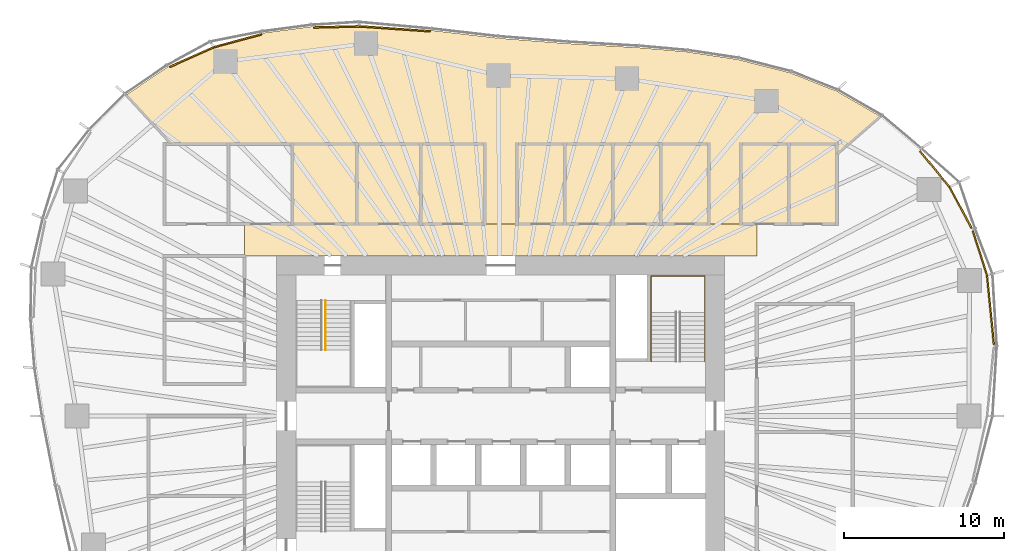
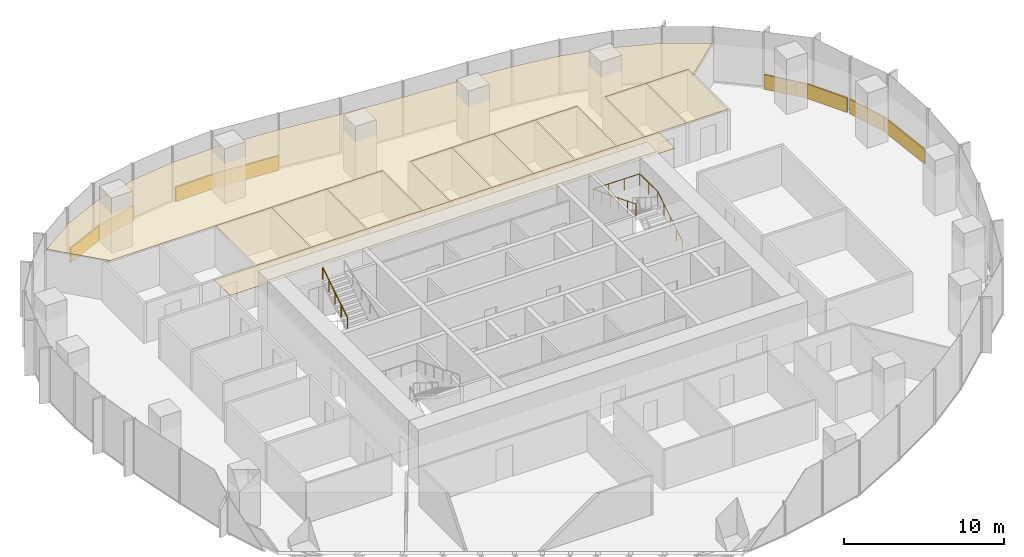
# One storey, part 18 of 18: 20 coverings, 2 railings.
"""IFC4 building model written with IfcOpenShell, lengths in metres."""

from ifc_helpers import new_model, si_unit, direction, frame, origin, origin_2d, place, context, subcontext, project, spatial, polyline, rectangle, circle, outline, extrude, material, layer, layer_set, type_object, element, save


model = new_model("IFC4")

# Units and contexts
model_context = context("Model", 3, precision=1e-05, world=origin(), true_north=direction((0.0, 1.0)))
body_context = subcontext(model_context, "Body", "Model", "MODEL_VIEW")
ifc_project = project(units=[si_unit("LENGTHUNIT", "METRE"), si_unit("AREAUNIT", "SQUARE_METRE"), si_unit("VOLUMEUNIT", "CUBIC_METRE"), si_unit("PLANEANGLEUNIT", "RADIAN"), si_unit("MASSUNIT", "GRAM", prefix="KILO")], contexts=[model_context])

# Site, building, storey
site_placement = place(None, origin())
site = spatial("IfcSite", under=ifc_project, at=site_placement, CompositionType="ELEMENT")
building_placement = place(site_placement, origin())
building = spatial("IfcBuilding", under=site, at=building_placement, Name="Ghaith Harvest Tower", CompositionType="ELEMENT")
storey_placement = place(building_placement, frame((0.0, 0.0, 138.60009765625)))
storey = spatial("IfcBuildingStorey", under=building, at=storey_placement, Name="L29", CompositionType="ELEMENT", Elevation=138.60009765625)

# Coverings
ifc_material_1 = material(Name="Mineral fibre ceiling tile", Category="gypsum")
ifc_layer_1 = layer(ifc_material_1, 0.02001953125)
ifc_layer_set_1 = layer_set([ifc_layer_1], Name="CEILING C1")
covering_type_1 = type_object("IfcCoveringType", Name="CEILING C1", PredefinedType="CEILING", material=ifc_layer_set_1)
covering_1_placement = place(storey_placement, frame((0.0, 0.0, 3.0)))
element("IfcCovering", 1, at=covering_1_placement, inside=storey, type_object=covering_type_1, Name="Ceiling L29-06", PredefinedType="CEILING", context=body_context, shape_type="SweptSolid", body=[
    extrude(outline(polyline([(-13.0, 12.0), (-9.0, 12.0), (-9.0, 17.0), (-13.0, 17.0), (-13.0, 12.0)])), origin(), (0.0, 0.0, 1.0), 0.02001953125),
])
covering_2_placement = place(storey_placement, frame((0.0, 0.0, 3.0)))
element("IfcCovering", 2, at=covering_2_placement, inside=storey, type_object=covering_type_1, Name="Ceiling L29-07", PredefinedType="CEILING", context=body_context, shape_type="SweptSolid", body=[
    extrude(outline(polyline([(-9.0, 12.0), (-5.0, 12.0), (-5.0, 17.0), (-9.0, 17.0), (-9.0, 12.0)])), origin(), (0.0, 0.0, 1.0), 0.02001953125),
])
covering_3_placement = place(storey_placement, frame((0.0, 0.0, 3.0)))
element("IfcCovering", 3, at=covering_3_placement, inside=storey, type_object=covering_type_1, Name="Ceiling L29-08", PredefinedType="CEILING", context=body_context, shape_type="SweptSolid", body=[
    extrude(outline(polyline([(-5.0, 12.0), (-1.0, 12.0), (-1.0, 17.0), (-5.0, 17.0), (-5.0, 12.0)])), origin(), (0.0, 0.0, 1.0), 0.02001953125),
])
covering_4_placement = place(storey_placement, frame((0.0, 0.0, 3.0)))
element("IfcCovering", 4, at=covering_4_placement, inside=storey, type_object=covering_type_1, Name="Ceiling L29-09", PredefinedType="CEILING", context=body_context, shape_type="SweptSolid", body=[
    extrude(outline(polyline([(1.0, 12.0), (4.0, 12.0), (4.0, 17.0), (1.0, 17.0), (1.0, 12.0)])), origin(), (0.0, 0.0, 1.0), 0.02001953125),
])
covering_5_placement = place(storey_placement, frame((0.0, 0.0, 3.0)))
element("IfcCovering", 5, at=covering_5_placement, inside=storey, type_object=covering_type_1, Name="Ceiling L29-10", PredefinedType="CEILING", context=body_context, shape_type="SweptSolid", body=[
    extrude(outline(polyline([(4.0, 12.0), (7.0, 12.0), (7.0, 17.0), (4.0, 17.0), (4.0, 12.0)])), origin(), (0.0, 0.0, 1.0), 0.02001953125),
])
covering_6_placement = place(storey_placement, frame((0.0, 0.0, 3.0)))
element("IfcCovering", 6, at=covering_6_placement, inside=storey, type_object=covering_type_1, Name="Ceiling L29-11", PredefinedType="CEILING", context=body_context, shape_type="SweptSolid", body=[
    extrude(outline(polyline([(7.0, 12.0), (10.0, 12.0), (10.0, 17.0), (7.0, 17.0), (7.0, 12.0)])), origin(), (0.0, 0.0, 1.0), 0.02001953125),
])
covering_7_placement = place(storey_placement, frame((0.0, 0.0, 3.0)))
element("IfcCovering", 7, at=covering_7_placement, inside=storey, type_object=covering_type_1, Name="Ceiling L29-12", PredefinedType="CEILING", context=body_context, shape_type="SweptSolid", body=[
    extrude(outline(polyline([(10.0, 12.0), (13.0, 12.0), (13.0, 17.0), (10.0, 17.0), (10.0, 12.0)])), origin(), (0.0, 0.0, 1.0), 0.02001953125),
])
covering_8_placement = place(storey_placement, frame((0.0, 0.0, 3.0)))
element("IfcCovering", 8, at=covering_8_placement, inside=storey, type_object=covering_type_1, Name="Ceiling L29-17", PredefinedType="CEILING", context=body_context, shape_type="SweptSolid", body=[
    extrude(outline(polyline([(15.0, 12.0), (18.0, 12.0), (18.0, 17.0), (15.0, 17.0), (15.0, 12.0)])), origin(), (0.0, 0.0, 1.0), 0.02001953125),
])
covering_9_placement = place(storey_placement, frame((0.0, 0.0, 3.0)))
element("IfcCovering", 9, at=covering_9_placement, inside=storey, type_object=covering_type_1, Name="Ceiling L29-18", PredefinedType="CEILING", context=body_context, shape_type="SweptSolid", body=[
    extrude(outline(polyline([(18.0, 12.0), (21.0, 12.0), (21.0, 17.0), (18.0, 17.0), (18.0, 12.0)])), origin(), (0.0, 0.0, 1.0), 0.02001953125),
])
covering_10_placement = place(storey_placement, frame((0.0, 0.0, 3.0)))
element("IfcCovering", 10, at=covering_10_placement, inside=storey, type_object=covering_type_1, Name="Ceiling L29-C1", PredefinedType="CEILING", context=body_context, shape_type="SweptSolid", body=[
    extrude(outline(polyline([(16.0, 10.0), (-16.0, 10.0), (-16.0, 12.0), (16.0, 12.0), (16.0, 10.0)])), origin(), (0.0, 0.0, 1.0), 0.02001953125),
])
covering_11_placement = place(storey_placement, frame((0.0, 0.0, 3.0)))
element("IfcCovering", 11, at=covering_11_placement, inside=storey, type_object=covering_type_1, Name="Ceiling L29-N1", PredefinedType="CEILING", context=body_context, shape_type="SweptSolid", body=[
    extrude(outline(polyline([(-20.79248046875, 21.82470703125), (-17.938232421875, 23.097412109375), (-14.860595703125, 23.927978515625), (-11.788818359375, 24.331787109375), (-8.814208984375, 24.404541015625), (-4.302001953125, 24.089111328125), (-0.16162109375, 23.609619140625), (4.125732421875, 23.272705078125), (8.604736328125, 23.017333984375), (11.617919921875, 22.757080078125), (14.79833984375, 22.27978515625), (18.0849609375, 21.4462890625), (20.97998046875, 20.3056640625), (23.7275390625, 18.718017578125), (21.0, 16.3466796875), (21.0, 17.0), (15.0, 17.0), (15.0, 12.0), (13.0, 12.0), (13.0, 17.0), (1.0, 17.0), (1.0, 12.0), (-1.0, 12.0), (-1.0, 17.0), (-20.5888671875, 17.0), (-23.398193359375, 20.06103515625), (-20.79248046875, 21.82470703125)])), origin(), (0.0, 0.0, 1.0), 0.02001953125),
])

# Railings
ifc_material_2 = material(Name="Steel, black powder-coated", Category="steel")
railing_type = type_object("IfcRailingType", Name="HANDRAIL HR1", PredefinedType="HANDRAIL", material=ifc_material_2)
railing_1_placement = place(storey_placement, frame((-10.949951171875, 4.1201171875, 2.27490234375)))
element("IfcRailing", 12, at=railing_1_placement, inside=storey, type_object=railing_type, Name="Handrail HR1 stair ST1 L29 flight 2 inner", PredefinedType="HANDRAIL", context=body_context, shape_type="SweptSolid", body=[
    extrude(circle(Radius=0.02392578125, at=origin_2d()), frame((0.0, 0.0, 0.8759765625), z_axis=(0.0, 0.847979421464, 0.530029150871), x_axis=(-1.0, 0.0, 0.0)), (0.0, 0.0, 1.0), 3.632080078125),
    extrude(circle(Radius=0.02099609375, at=origin_2d()), origin(), (0.0, 0.0, 1.0), 0.851806640625),
    extrude(circle(Radius=0.02099609375, at=origin_2d()), frame((0.0, 0.77001953125, 0.481201171875)), (0.0, 0.0, 1.0), 0.851806640625),
    extrude(circle(Radius=0.02099609375, at=origin_2d()), frame((0.0, 1.5400390625, 0.96240234375)), (0.0, 0.0, 1.0), 0.851806640625),
    extrude(circle(Radius=0.02099609375, at=origin_2d()), frame((0.0, 2.309814453125, 1.44384765625)), (0.0, 0.0, 1.0), 0.851806640625),
    extrude(circle(Radius=0.02099609375, at=origin_2d()), frame((0.0, 3.079833984375, 1.925048828125)), (0.0, 0.0, 1.0), 0.851806640625),
])
railing_2_placement = place(storey_placement, frame((12.75, 3.39990234375, 0.1748046875)))
element("IfcRailing", 13, at=railing_2_placement, inside=storey, type_object=railing_type, Name="Handrail HR1 stair ST2 L29 wall side", PredefinedType="HANDRAIL", context=body_context, shape_type="SweptSolid", body=[
    extrude(circle(Radius=0.02392578125, at=origin_2d()), frame((0.0, 0.0, 0.8759765625), z_axis=(0.0, 0.847998304005, 0.529998940003), x_axis=(-1.0, 0.0, 0.0)), (0.0, 0.0, 1.0), 3.632080078125),
    extrude(circle(Radius=0.02392578125, at=origin_2d()), frame((0.0, 3.080078125, 2.80078125), z_axis=(0.0, 1.0, 0.0), x_axis=(-1.0, 0.0, 0.0)), (0.0, 0.0, 1.0), 2.27001953125),
    extrude(circle(Radius=0.02392578125, at=origin_2d()), frame((0.0, 5.35009765625, 2.80078125), z_axis=(-1.0, 0.0, 0.0), x_axis=(0.0, -1.0, 0.0)), (0.0, 0.0, 1.0), 3.35009765625),
    extrude(circle(Radius=0.02392578125, at=origin_2d()), frame((-3.35009765625, 5.35009765625, 2.80078125), z_axis=(0.0, -0.930853684876, 0.365392141887), x_axis=(1.0, 0.0, 0.0)), (0.0, 0.0, 1.0), 5.74755859375),
    extrude(circle(Radius=0.02099609375, at=origin_2d()), origin(), (0.0, 0.0, 1.0), 0.851806640625),
    extrude(circle(Radius=0.02099609375, at=origin_2d()), frame((0.0, 0.77001953125, 0.481201171875)), (0.0, 0.0, 1.0), 0.851806640625),
    extrude(circle(Radius=0.02099609375, at=origin_2d()), frame((0.0, 1.5400390625, 0.96240234375)), (0.0, 0.0, 1.0), 0.851806640625),
    extrude(circle(Radius=0.02099609375, at=origin_2d()), frame((0.0, 2.31005859375, 1.44384765625)), (0.0, 0.0, 1.0), 0.851806640625),
    extrude(circle(Radius=0.02099609375, at=origin_2d()), frame((0.0, 3.080078125, 1.925048828125)), (0.0, 0.0, 1.0), 0.851806640625),
    extrude(circle(Radius=0.02099609375, at=origin_2d()), frame((0.0, 4.215087890625, 1.925048828125)), (0.0, 0.0, 1.0), 0.851806640625),
    extrude(circle(Radius=0.02099609375, at=origin_2d()), frame((0.0, 5.35009765625, 1.925048828125)), (0.0, 0.0, 1.0), 0.851806640625),
    extrude(circle(Radius=0.02099609375, at=origin_2d()), frame((-1.11669921875, 5.35009765625, 1.925048828125)), (0.0, 0.0, 1.0), 0.851806640625),
    extrude(circle(Radius=0.02099609375, at=origin_2d()), frame((-2.2333984375, 5.35009765625, 1.925048828125)), (0.0, 0.0, 1.0), 0.851806640625),
    extrude(circle(Radius=0.02099609375, at=origin_2d()), frame((-3.35009765625, 5.35009765625, 1.925048828125)), (0.0, 0.0, 1.0), 0.851806640625),
    extrude(circle(Radius=0.02099609375, at=origin_2d()), frame((-3.35009765625, 4.280029296875, 2.344970703125)), (0.0, 0.0, 1.0), 0.851806640625),
    extrude(circle(Radius=0.02099609375, at=origin_2d()), frame((-3.35009765625, 3.2099609375, 2.76513671875)), (0.0, 0.0, 1.0), 0.851806640625),
    extrude(circle(Radius=0.02099609375, at=origin_2d()), frame((-3.35009765625, 2.14013671875, 3.18505859375)), (0.0, 0.0, 1.0), 0.851806640625),
    extrude(circle(Radius=0.02099609375, at=origin_2d()), frame((-3.35009765625, 1.070068359375, 3.605224609375)), (0.0, 0.0, 1.0), 0.851806640625),
    extrude(circle(Radius=0.02099609375, at=origin_2d()), frame((-3.35009765625, 0.0, 4.025146484375)), (0.0, 0.0, 1.0), 0.851806640625),
])

# Coverings
ifc_material_3 = material(Name="Insulated aluminium spandrel panel on steel framing", Category="steel")
ifc_layer_2 = layer(ifc_material_3, 0.10009765625)
ifc_layer_set_2 = layer_set([ifc_layer_2], Name="SLAB EDGE UPSTAND 1100x100")
covering_type_2 = type_object("IfcCoveringType", Name="SLAB EDGE UPSTAND 1100x100", PredefinedType="CLADDING", material=ifc_layer_set_2)
covering_12_placement = place(storey_placement, frame((30.604736328125, 6.630126953125, -0.000244140625), z_axis=(0.0, 0.0, 1.0), x_axis=(-0.099131765681, 0.995074315332, 0.0)))
element("IfcCovering", 14, at=covering_12_placement, inside=storey, type_object=covering_type_2, Name="Slab edge upstand 2 bay 01 L29", PredefinedType="CLADDING", context=body_context, shape_type="SweptSolid", body=[
    extrude(rectangle(XDim=4.346435546875, YDim=0.10009765625, at=origin_2d()), origin(), (0.0, 0.0, 1.0), 1.10009765625),
])
covering_13_placement = place(storey_placement, frame((29.948486328125, 10.171875, -0.000244140625), z_axis=(0.0, 0.0, 1.0), x_axis=(-0.303716894855, 0.952762324916, 0.0)))
element("IfcCovering", 15, at=covering_13_placement, inside=storey, type_object=covering_type_2, Name="Slab edge upstand 1 bay 02 L29", PredefinedType="CLADDING", context=body_context, shape_type="SweptSolid", body=[
    extrude(rectangle(XDim=2.916748046875, YDim=0.10009765625, at=origin_2d()), origin(), (0.0, 0.0, 1.0), 1.10009765625),
])
covering_14_placement = place(storey_placement, frame((28.738037109375, 13.018798828125, -0.000244140625), z_axis=(0.0, 0.0, 1.0), x_axis=(-0.475408661811, 0.87976508471, 0.0)))
element("IfcCovering", 16, at=covering_14_placement, inside=storey, type_object=covering_type_2, Name="Slab edge upstand 2 bay 02 L29", PredefinedType="CLADDING", context=body_context, shape_type="SweptSolid", body=[
    extrude(rectangle(XDim=2.91650390625, YDim=0.10009765625, at=origin_2d()), origin(), (0.0, 0.0, 1.0), 1.10009765625),
])
covering_15_placement = place(storey_placement, frame((27.806396484375, 14.592041015625, -0.000244140625), z_axis=(0.0, 0.0, 1.0), x_axis=(-0.632969558548, 0.774176683937, 0.0)))
element("IfcCovering", 17, at=covering_15_placement, inside=storey, type_object=covering_type_2, Name="Slab edge upstand 3 bay 02 L29", PredefinedType="CLADDING", context=body_context, shape_type="SweptSolid", body=[
    extrude(rectangle(XDim=0.77001953125, YDim=0.10009765625, at=origin_2d()), origin(), (0.0, 0.0, 1.0), 1.10009765625),
])
covering_16_placement = place(storey_placement, frame((26.863525390625, 15.7451171875, -0.000244140625), z_axis=(0.0, 0.0, 1.0), x_axis=(-0.632969558548, 0.774176683937, 0.0)))
element("IfcCovering", 18, at=covering_16_placement, inside=storey, type_object=covering_type_2, Name="Slab edge upstand 3 bay 02 L29", PredefinedType="CLADDING", context=body_context, shape_type="SweptSolid", body=[
    extrude(rectangle(XDim=2.083740234375, YDim=0.10009765625, at=origin_2d()), origin(), (0.0, 0.0, 1.0), 1.10009765625),
])
covering_17_placement = place(storey_placement, frame((-6.611572265625, 24.200439453125, -0.000244140625), z_axis=(0.0, 0.0, 1.0), x_axis=(-0.997566199698, 0.069725728542, 0.0)))
element("IfcCovering", 19, at=covering_17_placement, inside=storey, type_object=covering_type_2, Name="Slab edge upstand 2 bay 06 L29", PredefinedType="CLADDING", context=body_context, shape_type="SweptSolid", body=[
    extrude(rectangle(XDim=4.42333984375, YDim=0.10009765625, at=origin_2d()), origin(), (0.0, 0.0, 1.0), 1.10009765625),
])
covering_18_placement = place(storey_placement, frame((-10.25048828125, 24.3193359375, -0.000244140625), z_axis=(0.0, 0.0, 1.0), x_axis=(-0.999700846757, -0.024458474865, 0.0)))
element("IfcCovering", 20, at=covering_18_placement, inside=storey, type_object=covering_type_2, Name="Slab edge upstand 1 bay 07 L29", PredefinedType="CLADDING", context=body_context, shape_type="SweptSolid", body=[
    extrude(rectangle(XDim=2.87548828125, YDim=0.10009765625, at=origin_2d()), origin(), (0.0, 0.0, 1.0), 1.10009765625),
])
covering_19_placement = place(storey_placement, frame((-16.4345703125, 23.451416015625, -0.000244140625), z_axis=(0.0, 0.0, 1.0), x_axis=(-0.965455035926, -0.260569709685, 0.0)))
element("IfcCovering", 21, at=covering_19_placement, inside=storey, type_object=covering_type_2, Name="Slab edge upstand 3 bay 07 L29", PredefinedType="CLADDING", context=body_context, shape_type="SweptSolid", body=[
    extrude(rectangle(XDim=3.087890625, YDim=0.10009765625, at=origin_2d()), origin(), (0.0, 0.0, 1.0), 1.10009765625),
])
covering_20_placement = place(storey_placement, frame((-19.29931640625, 22.435791015625, -0.000244140625), z_axis=(0.0, 0.0, 1.0), x_axis=(-0.913334621001, -0.40720986, 0.0)))
element("IfcCovering", 22, at=covering_20_placement, inside=storey, type_object=covering_type_2, Name="Slab edge upstand 1 bay 08 L29", PredefinedType="CLADDING", context=body_context, shape_type="SweptSolid", body=[
    extrude(rectangle(XDim=3.025146484375, YDim=0.10009765625, at=origin_2d()), origin(), (0.0, 0.0, 1.0), 1.10009765625),
])

save(model, "model.ifc")
